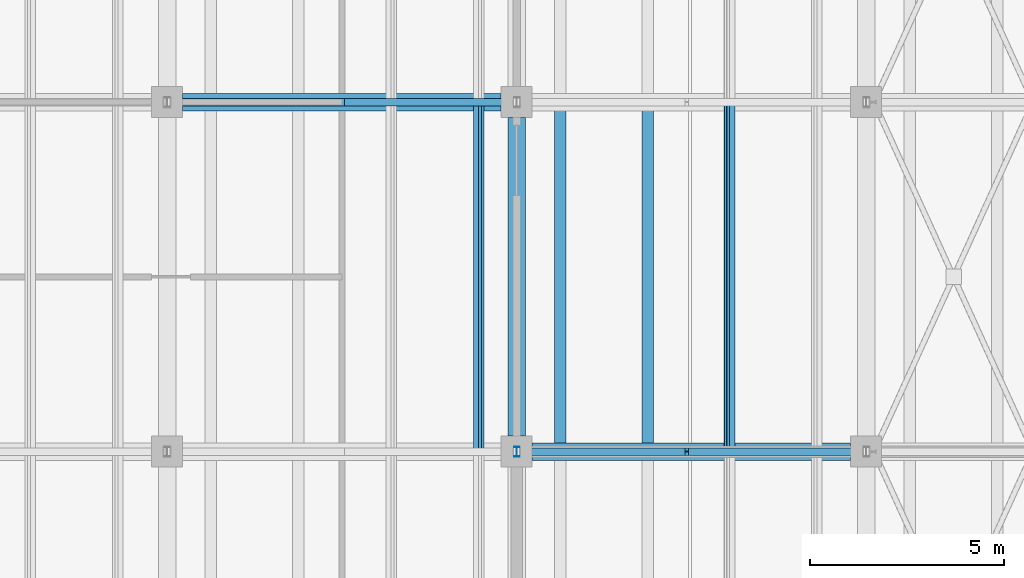
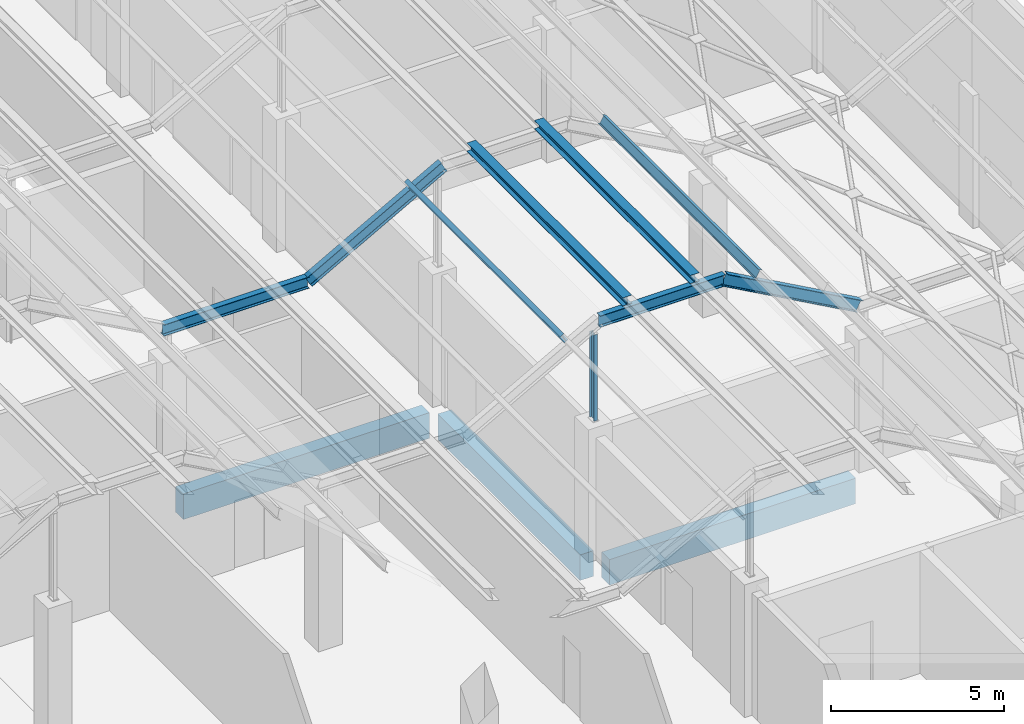
# One storey, part 26 of 437: 9 members, 3 beams.
"""IFC4 building model written with IfcOpenShell, lengths in metres."""

from ifc_helpers import new_model, si_unit, direction, frame, origin, origin_2d, place, context, subcontext, project, spatial, rectangle, i_section, extrude, material, material_profile, profile_set, type_object, element, save


model = new_model("IFC4")

# Units and contexts
model_context = context("Model", 3, precision=1e-05, world=origin(), true_north=direction((0.0, 1.0)))
body_context = subcontext(model_context, "Body", "Model", "MODEL_VIEW")
ifc_project = project(units=[si_unit("LENGTHUNIT", "METRE"), si_unit("AREAUNIT", "SQUARE_METRE"), si_unit("VOLUMEUNIT", "CUBIC_METRE"), si_unit("PLANEANGLEUNIT", "RADIAN"), si_unit("MASSUNIT", "GRAM", prefix="KILO")], contexts=[model_context])

# Site, building, storey
site_placement = place(None, origin())
site = spatial("IfcSite", under=ifc_project, at=site_placement, CompositionType="ELEMENT")
building_placement = place(site_placement, origin())
building = spatial("IfcBuilding", under=site, at=building_placement, Name="Opaline Strait Convention Centre", CompositionType="ELEMENT")
storey_placement = place(building_placement, frame((0.0, 0.0, 11.5)))
storey = spatial("IfcBuildingStorey", under=building, at=storey_placement, Name="L02", CompositionType="ELEMENT", Elevation=11.5)

# Members
ifc_material_1 = material(Name="Steel Q355B", Category="steel")
ifc_material_profile_1 = material_profile(ifc_material_1, i_section(OverallWidth=0.300048828125, OverallDepth=0.300048828125, WebThickness=0.010009765625, FlangeThickness=0.014892578125, FilletRadius=0.012939453125, at=origin_2d()), Name="HW 300x300x10x15")
ifc_profile_set_1 = profile_set([ifc_material_profile_1], Name="Steel Q355B")
member_type_1 = type_object("IfcMemberType", Name="Crest purlin HW 300x300x10x15", PredefinedType="PURLIN", material=ifc_profile_set_1)
for number, where, z_axis, x_axis, name in (
    (1, (64.125, 27.0, 8.449951171875), (0.0, 1.0, 0.0), (-1.0, 0.0, 0.0), "RU1 purlin facet 13 line 1"),
    (2, (66.375, 27.0, 8.449951171875), (0.0, 1.0, 0.0), (-1.0, 0.0, 0.0), "RU1 purlin facet 13 line 2"),
):
    element("IfcMember", number, at=place(storey_placement, frame(where, z_axis=z_axis, x_axis=x_axis)), inside=storey, type_object=member_type_1, Name=name, PredefinedType="PURLIN", context=body_context, shape_type="SweptSolid", body=[
        extrude(i_section(OverallWidth=0.300048828125, OverallDepth=0.300048828125, WebThickness=0.010009765625, FlangeThickness=0.014892578125, FilletRadius=0.012939453125, at=origin_2d()), origin(), (0.0, 0.0, 1.0), 9.0),
    ])

# Beams
ifc_material_2 = material(Name="Concrete C35", Category="concrete")
ifc_material_profile_2 = material_profile(ifc_material_2, rectangle(XDim=0.449951171875, YDim=0.89990234375, at=origin_2d()), Name="RC 450x900")
ifc_profile_set_2 = profile_set([ifc_material_profile_2], Name="Concrete C35")
beam_type = type_object("IfcBeamType", Name="RC beam 450x900 C35", PredefinedType="BEAM", material=ifc_profile_set_2)
for number, where, z_axis, x_axis, name in (
    (3, (63.39990234375, 27.0, -0.72998046875), (1.0, 0.0, 0.0), (0.0, 1.0, 0.0), "XB1 L02 63/27-72/27"),
    (4, (54.39990234375, 36.0, -0.72998046875), (1.0, 0.0, 0.0), (0.0, 1.0, 0.0), "XB1 L02 54/36-63/36"),
    (5, (63.0, 27.39990234375, -0.72998046875), (0.0, 1.0, 0.0), (-1.0, 0.0, 0.0), "XB1 L02 63/27-63/36"),
):
    element("IfcBeam", number, at=place(storey_placement, frame(where, z_axis=z_axis, x_axis=x_axis)), inside=storey, type_object=beam_type, Name=name, PredefinedType="BEAM", context=body_context, shape_type="SweptSolid", body=[
        extrude(rectangle(XDim=0.449951171875, YDim=0.89990234375, at=origin_2d()), origin(), (0.0, 0.0, 1.0), 8.2001953125),
    ])

# Members
ifc_material_profile_3 = material_profile(ifc_material_1, i_section(OverallWidth=0.125, OverallDepth=0.25, WebThickness=0.006103515625, FlangeThickness=0.009033203125, FilletRadius=0.008056640625, at=origin_2d()), Name="HN 250x125x6x9")
ifc_profile_set_3 = profile_set([ifc_material_profile_3], Name="Steel Q355B")
member_type_2 = type_object("IfcMemberType", Name="Roof post HN 250x125x6x9", PredefinedType="STRUT", material=ifc_profile_set_3)
member_1_placement = place(storey_placement, frame((63.0, 27.0, 4.68994140625), z_axis=(0.0, 0.0, 1.0), x_axis=(1.0, 0.0, 0.0)))
element("IfcMember", 6, at=member_1_placement, inside=storey, type_object=member_type_2, Name="RP1 roof post at 63/27", PredefinedType="STRUT", context=body_context, shape_type="SweptSolid", body=[
    extrude(i_section(OverallWidth=0.125, OverallDepth=0.25, WebThickness=0.006103515625, FlangeThickness=0.009033203125, FilletRadius=0.008056640625, at=origin_2d()), origin(), (0.0, 0.0, 1.0), 3.031005859375),
])
ifc_material_profile_4 = material_profile(ifc_material_1, i_section(OverallWidth=0.14990234375, OverallDepth=0.300048828125, WebThickness=0.006591796875, FlangeThickness=0.009033203125, FilletRadius=0.012939453125, at=origin_2d()), Name="HN 300x150x6.5x9")
ifc_profile_set_4 = profile_set([ifc_material_profile_4], Name="Steel Q355B")
member_type_3 = type_object("IfcMemberType", Name="Roof purlin HN 300x150x6.5x9", PredefinedType="PURLIN", material=ifc_profile_set_4)
for number, where, z_axis, x_axis, name in (
    (7, (62.020751953125, 27.0, 7.86279296875), (0.0, 1.0, 0.0), (-0.874157310866, 0.0, -0.485642868639), "RU1 purlin facet 12 line 2"),
    (8, (68.479248046875, 27.0, 7.86279296875), (0.0, 1.0, 0.0), (-0.874157310866, 0.0, 0.485642868639), "RU1 purlin facet 14 line 1"),
):
    element("IfcMember", number, at=place(storey_placement, frame(where, z_axis=z_axis, x_axis=x_axis)), inside=storey, type_object=member_type_3, Name=name, PredefinedType="PURLIN", context=body_context, shape_type="SweptSolid", body=[
        extrude(i_section(OverallWidth=0.14990234375, OverallDepth=0.300048828125, WebThickness=0.006591796875, FlangeThickness=0.009033203125, FilletRadius=0.012939453125, at=origin_2d()), origin(), (0.0, 0.0, 1.0), 9.0),
    ])
ifc_material_profile_5 = material_profile(ifc_material_1, i_section(OverallWidth=0.199951171875, OverallDepth=0.39990234375, WebThickness=0.008056640625, FlangeThickness=0.012939453125, FilletRadius=0.012939453125, at=origin_2d()), Name="HN 400x200x8x13")
ifc_profile_set_5 = profile_set([ifc_material_profile_5], Name="Steel Q355B")
member_type_4 = type_object("IfcMemberType", Name="Roof rafter HN 400x200x8x13", PredefinedType="RAFTER", material=ifc_profile_set_5)
member_2_placement = place(storey_placement, frame((63.16845703125, 27.0, 8.10009765625), z_axis=(1.0, 0.0, 0.0), x_axis=(0.0, 1.0, 0.0)))
element("IfcMember", 9, at=member_2_placement, inside=storey, type_object=member_type_4, Name="RR1 rafter line 3 facet 14", PredefinedType="RAFTER", context=body_context, shape_type="SweptSolid", body=[
    extrude(i_section(OverallWidth=0.199951171875, OverallDepth=0.39990234375, WebThickness=0.008056640625, FlangeThickness=0.012939453125, FilletRadius=0.012939453125, at=origin_2d()), origin(), (0.0, 0.0, 1.0), 4.1630859375),
])
member_3_placement = place(storey_placement, frame((67.33154296875, 27.0, 8.10009765625), z_axis=(0.874157276122, 0.0, -0.485642931179), x_axis=(0.0, 1.0, 0.0)))
element("IfcMember", 10, at=member_3_placement, inside=storey, type_object=member_type_4, Name="RR1 rafter line 3 facet 15", PredefinedType="RAFTER", context=body_context, shape_type="SweptSolid", body=[
    extrude(i_section(OverallWidth=0.199951171875, OverallDepth=0.39990234375, WebThickness=0.008056640625, FlangeThickness=0.012939453125, FilletRadius=0.012939453125, at=origin_2d()), origin(), (0.0, 0.0, 1.0), 5.147705078125),
])
member_4_placement = place(storey_placement, frame((53.83154296875, 36.0, 5.60009765625), z_axis=(1.0, 0.0, 0.0), x_axis=(0.0, 1.0, 0.0)))
element("IfcMember", 11, at=member_4_placement, inside=storey, type_object=member_type_4, Name="RR1 rafter line 4 facet 12", PredefinedType="RAFTER", context=body_context, shape_type="SweptSolid", body=[
    extrude(i_section(OverallWidth=0.199951171875, OverallDepth=0.39990234375, WebThickness=0.008056640625, FlangeThickness=0.012939453125, FilletRadius=0.012939453125, at=origin_2d()), origin(), (0.0, 0.0, 1.0), 4.8369140625),
])
member_5_placement = place(storey_placement, frame((58.66845703125, 36.0, 5.60009765625), z_axis=(0.874157276122, 0.0, 0.485642931179), x_axis=(0.0, 1.0, 0.0)))
element("IfcMember", 12, at=member_5_placement, inside=storey, type_object=member_type_4, Name="RR1 rafter line 4 facet 13", PredefinedType="RAFTER", context=body_context, shape_type="SweptSolid", body=[
    extrude(i_section(OverallWidth=0.199951171875, OverallDepth=0.39990234375, WebThickness=0.008056640625, FlangeThickness=0.012939453125, FilletRadius=0.012939453125, at=origin_2d()), origin(), (0.0, 0.0, 1.0), 5.147705078125),
])

save(model, "model.ifc")
